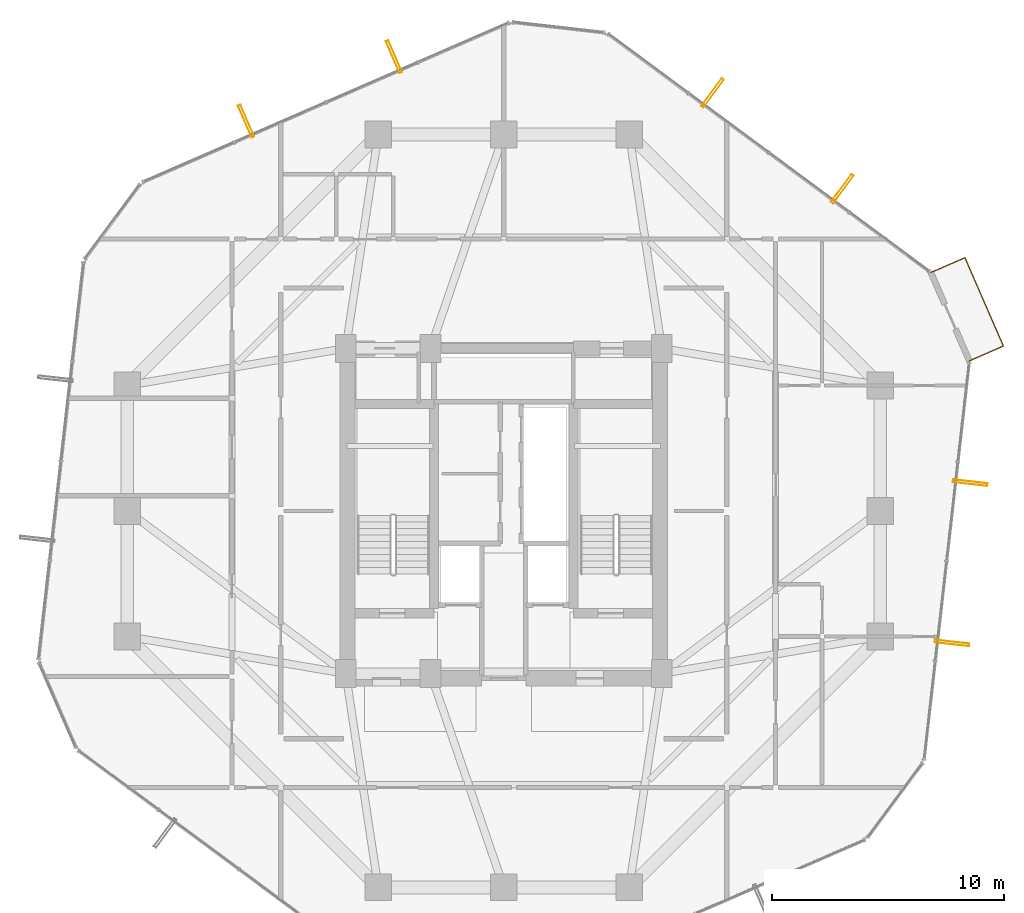
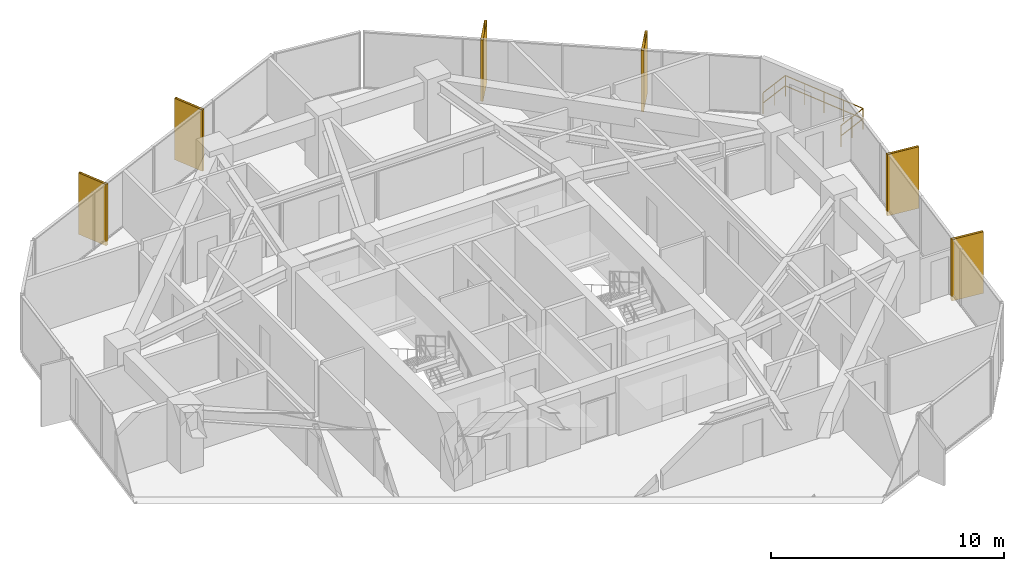
# One storey, part 29 of 29: 6 shading devices, 1 railing.
"""IFC4 building model written with IfcOpenShell, lengths in metres."""

from ifc_helpers import new_model, si_unit, direction, frame, origin, origin_2d, place, context, subcontext, project, spatial, hollow_rectangle, circle, extrude, material, material_profile, profile_set, type_object, element, save


model = new_model("IFC4")

# Units and contexts
model_context = context("Model", 3, precision=1e-05, world=origin(), true_north=direction((0.0, 1.0)))
body_context = subcontext(model_context, "Body", "Model", "MODEL_VIEW")
ifc_project = project(units=[si_unit("LENGTHUNIT", "METRE"), si_unit("AREAUNIT", "SQUARE_METRE"), si_unit("VOLUMEUNIT", "CUBIC_METRE"), si_unit("PLANEANGLEUNIT", "RADIAN"), si_unit("MASSUNIT", "GRAM", prefix="KILO")], contexts=[model_context])

# Site, building, storey
site_placement = place(None, origin())
site = spatial("IfcSite", under=ifc_project, at=site_placement, CompositionType="ELEMENT")
building_placement = place(site_placement, origin())
building = spatial("IfcBuilding", under=site, at=building_placement, Name="Veraguas Prism Commons", CompositionType="ELEMENT")
storey_placement = place(building_placement, frame((0.0, 0.0, 105.699951171875)))
storey = spatial("IfcBuildingStorey", under=building, at=storey_placement, Name="L29", CompositionType="ELEMENT", Elevation=105.699951171875)

# Shading devices
ifc_material_1 = material(Name="Anodised aluminium EN AW-6063 T6", Category="aluminium")
ifc_material_profile = material_profile(ifc_material_1, hollow_rectangle(XDim=0.1201171875, YDim=1.489990234375, WallThickness=0.006103515625, at=origin_2d()), Name="FIN120X1490X6")
ifc_profile_set = profile_set([ifc_material_profile], Name="Anodised aluminium EN AW-6063 T6")
shading_device_type = type_object("IfcShadingDeviceType", Name="Deep Pale-Metal Vertical Solar Fin 120x1490", PredefinedType="USERDEFINED", material=ifc_profile_set)
for number, where, z_axis, x_axis, name in (
    (1, (38.567138671875, 37.86279296875, -0.22998046875), (0.0, 0.0, 1.0), (-0.804063406288, 0.594543554896, 0.0), "Vertical Pale-Metal Solar Fin L29-F1A"),
    (2, (32.985595703125, 41.989990234375, -0.22998046875), (0.0, 0.0, 1.0), (-0.804063406288, 0.594543554896, 0.0), "Vertical Pale-Metal Solar Fin L29-F1B"),
    (3, (19.278076171875, 43.547119140625, -0.22998046875), (0.0, 0.0, 1.0), (-0.916920828835, -0.39906915898, 0.0), "Vertical Pale-Metal Solar Fin L29-F2A"),
    (4, (12.9130859375, 40.77685546875, -0.22998046875), (0.0, 0.0, 1.0), (-0.916920828835, -0.39906915898, 0.0), "Vertical Pale-Metal Solar Fin L29-F2B"),
    (5, (43.289306640625, 18.31591796875, -0.22998046875), (0.0, 0.0, 1.0), (0.112859853231, 0.993610916571, 0.0), "Vertical Pale-Metal Solar Fin L29-F6A"),
    (6, (44.072509765625, 25.21337890625, -0.22998046875), (0.0, 0.0, 1.0), (0.112859853231, 0.993610916571, 0.0), "Vertical Pale-Metal Solar Fin L29-F6B"),
):
    element("IfcShadingDevice", number, at=place(storey_placement, frame(where, z_axis=z_axis, x_axis=x_axis)), inside=storey, type_object=shading_device_type, Name=name, ObjectType="FIN", PredefinedType="USERDEFINED", context=body_context, shape_type="SweptSolid", body=[
        extrude(hollow_rectangle(XDim=0.1201171875, YDim=1.489990234375, WallThickness=0.006103515625, at=origin_2d()), origin(), (0.0, 0.0, 1.0), 3.219970703125),
    ])

# Railing
ifc_material_2 = material(Name="Stainless steel AISI 316", Category="steel")
railing_type = type_object("IfcRailingType", Name="Loggia and Sky Pool Glazed Balustrade 1120", PredefinedType="BALUSTRADE", material=ifc_material_2)
railing_placement = place(storey_placement, frame((44.039306640625, 30.456787109375, 0.0)))
element("IfcRailing", 7, at=railing_placement, inside=storey, type_object=railing_type, Name="Recessed Corner Loggia L29-C1 Guard", PredefinedType="BALUSTRADE", context=body_context, shape_type="SweptSolid", body=[
    extrude(circle(Radius=0.02392578125, at=origin_2d()), frame((0.0, 0.0, 1.09619140625), z_axis=(0.916880738411, 0.399161260057, 0.0), x_axis=(-0.399161260057, 0.916880738411, 0.0)), (0.0, 0.0, 1.0), 1.60009765625),
    extrude(circle(Radius=0.02392578125, at=origin_2d()), frame((0.0, 0.0, 0.56005859375), z_axis=(0.916880738411, 0.399161260057, 0.0), x_axis=(-0.399161260057, 0.916880738411, 0.0)), (0.0, 0.0, 1.0), 1.60009765625),
    extrude(circle(Radius=0.02392578125, at=origin_2d()), frame((1.467041015625, 0.638671875, 1.09619140625), z_axis=(-0.399085046863, 0.916913913827, 0.0), x_axis=(-0.916913913827, -0.399085046863, 0.0)), (0.0, 0.0, 1.0), 4.153076171875),
    extrude(circle(Radius=0.02392578125, at=origin_2d()), frame((1.467041015625, 0.638671875, 0.56005859375), z_axis=(-0.399085046863, 0.916913913827, 0.0), x_axis=(-0.916913913827, -0.399085046863, 0.0)), (0.0, 0.0, 1.0), 4.153076171875),
    extrude(circle(Radius=0.02392578125, at=origin_2d()), frame((-0.1904296875, 4.44677734375, 1.09619140625), z_axis=(-0.916880738411, -0.399161260057, 0.0), x_axis=(0.399161260057, -0.916880738411, 0.0)), (0.0, 0.0, 1.0), 1.60009765625),
    extrude(circle(Radius=0.02392578125, at=origin_2d()), frame((-0.1904296875, 4.44677734375, 0.56005859375), z_axis=(-0.916880738411, -0.399161260057, 0.0), x_axis=(0.399161260057, -0.916880738411, 0.0)), (0.0, 0.0, 1.0), 1.60009765625),
    extrude(circle(Radius=0.02099609375, at=origin_2d()), origin(), (0.0, 0.0, 1.0), 1.072021484375),
    extrude(circle(Radius=0.02099609375, at=origin_2d()), frame((0.7333984375, 0.3193359375, 0.0)), (0.0, 0.0, 1.0), 1.072021484375),
    extrude(circle(Radius=0.02099609375, at=origin_2d()), frame((1.467041015625, 0.638671875, 0.0)), (0.0, 0.0, 1.0), 1.072021484375),
    extrude(circle(Radius=0.02099609375, at=origin_2d()), frame((1.052734375, 1.5908203125, 0.0)), (0.0, 0.0, 1.0), 1.072021484375),
    extrude(circle(Radius=0.02099609375, at=origin_2d()), frame((0.63818359375, 2.542724609375, 0.0)), (0.0, 0.0, 1.0), 1.072021484375),
    extrude(circle(Radius=0.02099609375, at=origin_2d()), frame((0.223876953125, 3.49462890625, 0.0)), (0.0, 0.0, 1.0), 1.072021484375),
    extrude(circle(Radius=0.02099609375, at=origin_2d()), frame((-0.1904296875, 4.44677734375, 0.0)), (0.0, 0.0, 1.0), 1.072021484375),
    extrude(circle(Radius=0.02099609375, at=origin_2d()), frame((-0.923828125, 4.12744140625, 0.0)), (0.0, 0.0, 1.0), 1.072021484375),
    extrude(circle(Radius=0.02099609375, at=origin_2d()), frame((-1.657470703125, 3.80810546875, 0.0)), (0.0, 0.0, 1.0), 1.072021484375),
])

save(model, "model.ifc")
